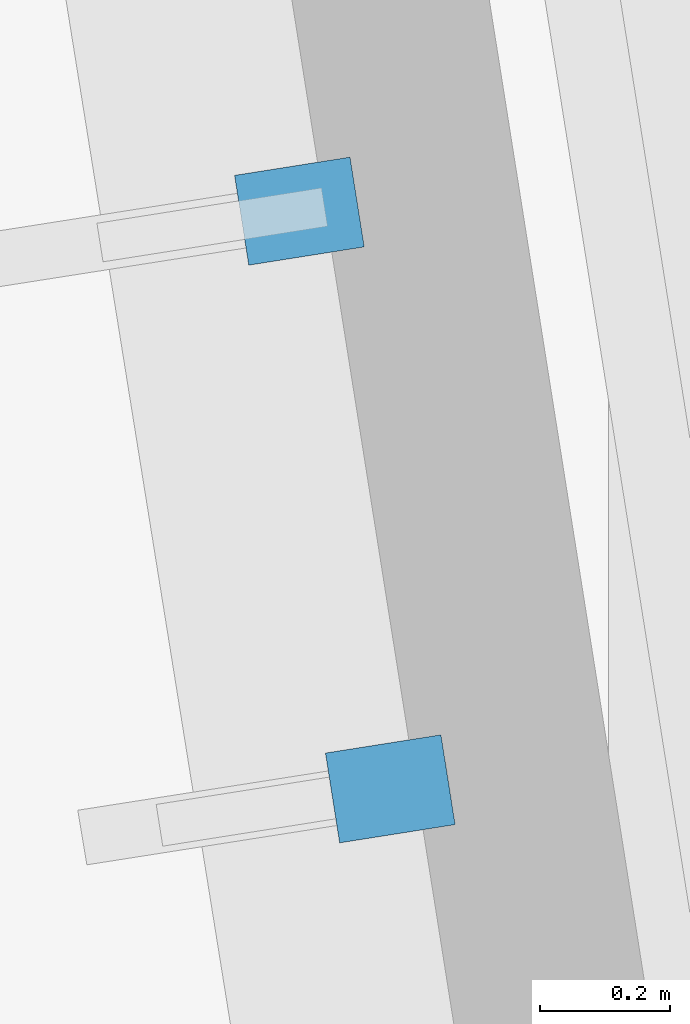
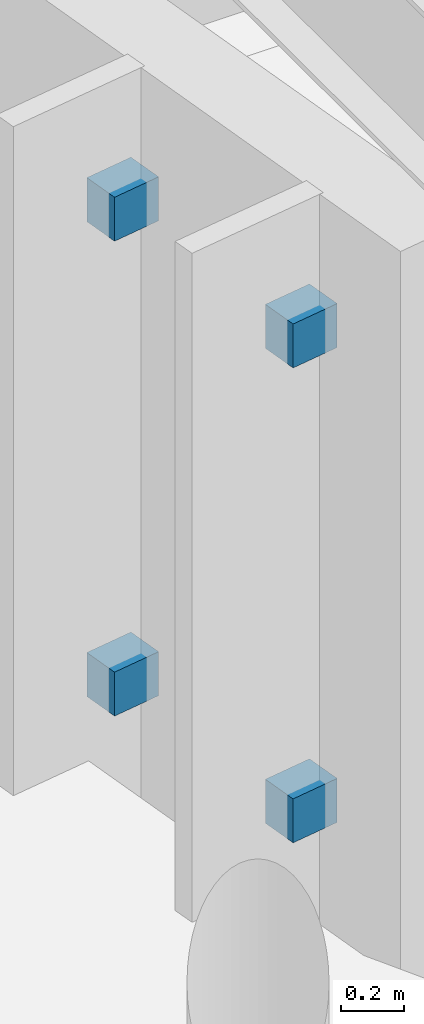
# One storey, part 92 of 111: 4 discrete accessories.
"""IFC4 building model written with IfcOpenShell, lengths in metres."""

from ifc_helpers import new_model, si_unit, direction, frame, origin, origin_2d, place, context, subcontext, project, spatial, rectangle, extrude, material, type_object, element, save


model = new_model("IFC4")

# Units and contexts
model_context = context("Model", 3, precision=1e-05, world=origin(), true_north=direction((0.0, 1.0)))
body_context = subcontext(model_context, "Body", "Model", "MODEL_VIEW")
ifc_project = project(units=[si_unit("LENGTHUNIT", "METRE"), si_unit("AREAUNIT", "SQUARE_METRE"), si_unit("VOLUMEUNIT", "CUBIC_METRE"), si_unit("PLANEANGLEUNIT", "RADIAN"), si_unit("MASSUNIT", "GRAM", prefix="KILO")], contexts=[model_context])

# Site, building, storey
site_placement = place(None, origin())
site = spatial("IfcSite", under=ifc_project, at=site_placement, CompositionType="ELEMENT")
building_placement = place(site_placement, origin())
building = spatial("IfcBuilding", under=site, at=building_placement, Name="Corveleigh Park Community Centre", CompositionType="ELEMENT")
storey_placement = place(building_placement, frame((0.0, 0.0, 4.800048828125)))
storey = spatial("IfcBuildingStorey", under=building, at=storey_placement, Name="L01", CompositionType="ELEMENT", Elevation=4.800048828125)

# Discrete accessories
ifc_material = material(Name="Stainless steel 316 balustrade", Category="steel")
discrete_accessory_type = type_object("IfcDiscreteAccessoryType", Name="ACC-BRK-STL", PredefinedType="BRACKET", material=ifc_material)
for number, where, z_axis, x_axis, name in (
    (1, (134.136962890625, 63.9189453125, 0.5), (0.0, 0.0, 1.0), (-0.987733954743, -0.15614619639, 0.0), "Fin fixing bracket lower"),
    (2, (134.136962890625, 63.9189453125, 2.3369140625), (0.0, 0.0, 1.0), (-0.987733954743, -0.15614619639, 0.0), "Fin fixing bracket upper"),
    (3, (133.9970703125, 64.80810546875, 0.5), (0.0, 0.0, 1.0), (-0.987733954743, -0.15614619639, 0.0), "Fin fixing bracket lower"),
    (4, (133.9970703125, 64.80810546875, 2.3369140625), (0.0, 0.0, 1.0), (-0.987733954743, -0.15614619639, 0.0), "Fin fixing bracket upper"),
):
    element("IfcDiscreteAccessory", number, at=place(storey_placement, frame(where, z_axis=z_axis, x_axis=x_axis)), inside=storey, type_object=discrete_accessory_type, Name=name, PredefinedType="BRACKET", context=body_context, shape_type="SweptSolid", body=[
        extrude(rectangle(XDim=0.179931640625, YDim=0.139892578125, at=origin_2d()), origin(), (0.0, 0.0, 1.0), 0.169921875),
    ])

save(model, "model.ifc")
